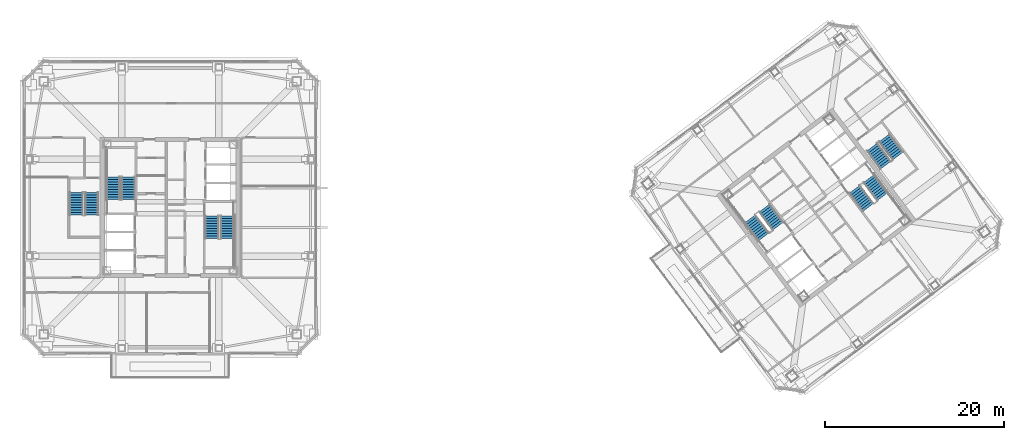
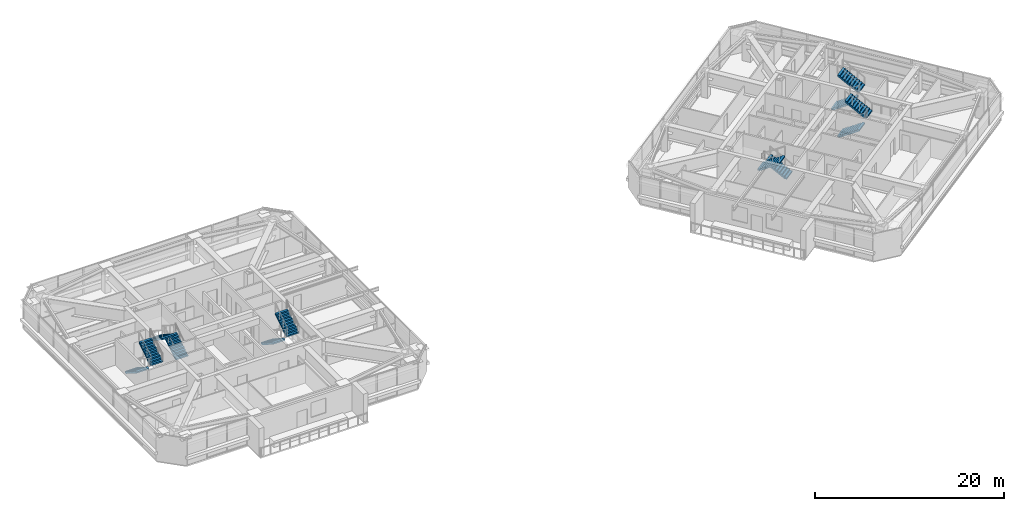
# One storey, part 34 of 40: 12 stair flights, 6 elements without a shape of their own.
"""IFC4 building model written with IfcOpenShell, lengths in metres."""

from ifc_helpers import new_model, si_unit, direction, frame, origin, place, context, subcontext, project, spatial, polyline, outline, extrude, material, type_object, element, aggregate, save


model = new_model("IFC4")

# Units and contexts
model_context = context("Model", 3, precision=1e-05, world=origin(), true_north=direction((0.0, 1.0)))
body_context = subcontext(model_context, "Body", "Model", "MODEL_VIEW")
ifc_project = project(units=[si_unit("LENGTHUNIT", "METRE"), si_unit("AREAUNIT", "SQUARE_METRE"), si_unit("VOLUMEUNIT", "CUBIC_METRE"), si_unit("PLANEANGLEUNIT", "RADIAN"), si_unit("MASSUNIT", "GRAM", prefix="KILO")], contexts=[model_context])

# Site, building, storey
site_placement = place(None, origin())
site = spatial("IfcSite", under=ifc_project, at=site_placement, CompositionType="ELEMENT")
building_placement = place(site_placement, origin())
building = spatial("IfcBuilding", under=site, at=building_placement, Name="Tashvorn Skyway Center", CompositionType="ELEMENT")
storey_placement = place(building_placement, frame((0.0, 0.0, 229.050048828125)))
storey = spatial("IfcBuildingStorey", under=building, at=storey_placement, Name="L62", CompositionType="ELEMENT", Elevation=229.050048828125)

# Stair, stair flights
ifc_material = material(Name="Concrete C40/50", Category="concrete")
stair_type = type_object("IfcStairType", Name="STAIR-CORE-1500", PredefinedType="HALF_TURN_STAIR", material=ifc_material)
stair_1_placement = place(storey_placement, origin())
stair_1 = element("IfcStair", 1, at=stair_1_placement, inside=storey, type_object=stair_type, Name="L62 Tower 1 Exit Stair 1", PredefinedType="HALF_TURN_STAIR")
stair_flight_type = type_object("IfcStairFlightType", Name="SFLIGHT-1500", PredefinedType="STRAIGHT", material=ifc_material)
stair_flight_1_placement = place(storey_placement, frame((37.35009765625, 32.919921875, 0.0), z_axis=(0.0, 0.0, 1.0), x_axis=(0.0, 1.0, 0.0)))
stair_flight_1 = element("IfcStairFlight", 2, at=stair_flight_1_placement, type_object=stair_flight_type, Name="ST-T1-1 flight 1", NumberOfRisers=10, NumberOfTreads=9, PredefinedType="STRAIGHT", RiserHeight=0.1775, TreadLength=0.28, context=body_context, shape_type="SweptSolid", body=[
    extrude(outline(polyline([(0.0, 0.0), (0.0, 0.177490234375), (0.280029296875, 0.177490234375), (0.280029296875, 0.35498046875), (0.56005859375, 0.35498046875), (0.56005859375, 0.532470703125), (0.840087890625, 0.532470703125), (0.840087890625, 0.7099609375), (1.1201171875, 0.7099609375), (1.1201171875, 0.887451171875), (1.39990234375, 0.887451171875), (1.39990234375, 1.06494140625), (1.679931640625, 1.06494140625), (1.679931640625, 1.242431640625), (1.9599609375, 1.242431640625), (1.9599609375, 1.419921875), (2.239990234375, 1.419921875), (2.239990234375, 1.597412109375), (2.52001953125, 1.597412109375), (2.52001953125, 1.77490234375), (2.52001953125, 1.419921875), (0.280029296875, 0.0), (0.0, 0.0)])), frame((0.0, 0.75, 0.0), z_axis=(0.0, -1.0, 0.0), x_axis=(1.0, 0.0, 0.0)), (0.0, 0.0, 1.0), 1.5),
])
stair_flight_2_placement = place(storey_placement, frame((35.64990234375, 35.43994140625, 1.77490234375), z_axis=(0.0, 0.0, 1.0), x_axis=(0.0, -1.0, 0.0)))
stair_flight_2 = element("IfcStairFlight", 3, at=stair_flight_2_placement, type_object=stair_flight_type, Name="ST-T1-1 flight 2", NumberOfRisers=10, NumberOfTreads=9, PredefinedType="STRAIGHT", RiserHeight=0.1775, TreadLength=0.28, context=body_context, shape_type="SweptSolid", body=[
    extrude(outline(polyline([(0.0, 0.0), (0.0, 0.177490234375), (0.280029296875, 0.177490234375), (0.280029296875, 0.35498046875), (0.56005859375, 0.35498046875), (0.56005859375, 0.532470703125), (0.840087890625, 0.532470703125), (0.840087890625, 0.7099609375), (1.1201171875, 0.7099609375), (1.1201171875, 0.887451171875), (1.39990234375, 0.887451171875), (1.39990234375, 1.06494140625), (1.679931640625, 1.06494140625), (1.679931640625, 1.242431640625), (1.9599609375, 1.242431640625), (1.9599609375, 1.419921875), (2.239990234375, 1.419921875), (2.239990234375, 1.597412109375), (2.52001953125, 1.597412109375), (2.52001953125, 1.77490234375), (2.52001953125, 1.419921875), (0.280029296875, 0.0), (0.0, 0.0)])), frame((0.0, 0.75, 0.0), z_axis=(0.0, -1.0, 0.0), x_axis=(1.0, 0.0, 0.0)), (0.0, 0.0, 1.0), 1.5),
])
aggregate(stair_1, [stair_flight_1, stair_flight_2])

stair_2_placement = place(storey_placement, origin())
stair_2 = element("IfcStair", 4, at=stair_2_placement, inside=storey, type_object=stair_type, Name="L62 Tower 1 Exit Stair 2", PredefinedType="HALF_TURN_STAIR")
stair_flight_3_placement = place(storey_placement, frame((46.64990234375, 31.080078125, 0.0), z_axis=(0.0, 0.0, 1.0), x_axis=(0.0, -1.0, 0.0)))
stair_flight_3 = element("IfcStairFlight", 5, at=stair_flight_3_placement, type_object=stair_flight_type, Name="ST-T1-2 flight 1", NumberOfRisers=10, NumberOfTreads=9, PredefinedType="STRAIGHT", RiserHeight=0.1775, TreadLength=0.28, context=body_context, shape_type="SweptSolid", body=[
    extrude(outline(polyline([(0.0, 0.0), (0.0, 0.177490234375), (0.280029296875, 0.177490234375), (0.280029296875, 0.35498046875), (0.56005859375, 0.35498046875), (0.56005859375, 0.532470703125), (0.840087890625, 0.532470703125), (0.840087890625, 0.7099609375), (1.1201171875, 0.7099609375), (1.1201171875, 0.887451171875), (1.39990234375, 0.887451171875), (1.39990234375, 1.06494140625), (1.679931640625, 1.06494140625), (1.679931640625, 1.242431640625), (1.9599609375, 1.242431640625), (1.9599609375, 1.419921875), (2.239990234375, 1.419921875), (2.239990234375, 1.597412109375), (2.52001953125, 1.597412109375), (2.52001953125, 1.77490234375), (2.52001953125, 1.419921875), (0.280029296875, 0.0), (0.0, 0.0)])), frame((0.0, 0.75, 0.0), z_axis=(0.0, -1.0, 0.0), x_axis=(1.0, 0.0, 0.0)), (0.0, 0.0, 1.0), 1.5),
])
stair_flight_4_placement = place(storey_placement, frame((48.35009765625, 28.56005859375, 1.77490234375), z_axis=(0.0, 0.0, 1.0), x_axis=(0.0, 1.0, 0.0)))
stair_flight_4 = element("IfcStairFlight", 6, at=stair_flight_4_placement, type_object=stair_flight_type, Name="ST-T1-2 flight 2", NumberOfRisers=10, NumberOfTreads=9, PredefinedType="STRAIGHT", RiserHeight=0.1775, TreadLength=0.28, context=body_context, shape_type="SweptSolid", body=[
    extrude(outline(polyline([(0.0, 0.0), (0.0, 0.177490234375), (0.280029296875, 0.177490234375), (0.280029296875, 0.35498046875), (0.56005859375, 0.35498046875), (0.56005859375, 0.532470703125), (0.840087890625, 0.532470703125), (0.840087890625, 0.7099609375), (1.1201171875, 0.7099609375), (1.1201171875, 0.887451171875), (1.39990234375, 0.887451171875), (1.39990234375, 1.06494140625), (1.679931640625, 1.06494140625), (1.679931640625, 1.242431640625), (1.9599609375, 1.242431640625), (1.9599609375, 1.419921875), (2.239990234375, 1.419921875), (2.239990234375, 1.597412109375), (2.52001953125, 1.597412109375), (2.52001953125, 1.77490234375), (2.52001953125, 1.419921875), (0.280029296875, 0.0), (0.0, 0.0)])), frame((0.0, 0.75, 0.0), z_axis=(0.0, -1.0, 0.0), x_axis=(1.0, 0.0, 0.0)), (0.0, 0.0, 1.0), 1.5),
])
aggregate(stair_2, [stair_flight_3, stair_flight_4])

stair_3_placement = place(storey_placement, origin())
stair_3 = element("IfcStair", 7, at=stair_3_placement, inside=storey, type_object=stair_type, Name="L62 Tower 2 Exit Stair 1", PredefinedType="HALF_TURN_STAIR")
stair_flight_5_placement = place(storey_placement, frame((109.72802734375, 29.946044921875, 0.0), z_axis=(0.0, 0.0, 1.0), x_axis=(-0.600000004945, 0.799999996291, 0.0)))
stair_flight_5 = element("IfcStairFlight", 8, at=stair_flight_5_placement, type_object=stair_flight_type, Name="ST-T2-1 flight 1", NumberOfRisers=10, NumberOfTreads=9, PredefinedType="STRAIGHT", RiserHeight=0.1775, TreadLength=0.28, context=body_context, shape_type="SweptSolid", body=[
    extrude(outline(polyline([(0.0, 0.0), (0.0, 0.177490234375), (0.280029296875, 0.177490234375), (0.280029296875, 0.35498046875), (0.56005859375, 0.35498046875), (0.56005859375, 0.532470703125), (0.840087890625, 0.532470703125), (0.840087890625, 0.7099609375), (1.1201171875, 0.7099609375), (1.1201171875, 0.887451171875), (1.39990234375, 0.887451171875), (1.39990234375, 1.06494140625), (1.679931640625, 1.06494140625), (1.679931640625, 1.242431640625), (1.9599609375, 1.242431640625), (1.9599609375, 1.419921875), (2.239990234375, 1.419921875), (2.239990234375, 1.597412109375), (2.52001953125, 1.597412109375), (2.52001953125, 1.77490234375), (2.52001953125, 1.419921875), (0.280029296875, 0.0), (0.0, 0.0)])), frame((0.0, 0.75, 0.0), z_axis=(0.0, -1.0, 0.0), x_axis=(1.0, 0.0, 0.0)), (0.0, 0.0, 1.0), 1.5),
])
stair_flight_6_placement = place(storey_placement, frame((106.632080078125, 30.77392578125, 1.77490234375), z_axis=(0.0, 0.0, 1.0), x_axis=(0.600000004945, -0.799999996291, 0.0)))
stair_flight_6 = element("IfcStairFlight", 9, at=stair_flight_6_placement, type_object=stair_flight_type, Name="ST-T2-1 flight 2", NumberOfRisers=10, NumberOfTreads=9, PredefinedType="STRAIGHT", RiserHeight=0.1775, TreadLength=0.28, context=body_context, shape_type="SweptSolid", body=[
    extrude(outline(polyline([(0.0, 0.0), (0.0, 0.177490234375), (0.280029296875, 0.177490234375), (0.280029296875, 0.35498046875), (0.56005859375, 0.35498046875), (0.56005859375, 0.532470703125), (0.840087890625, 0.532470703125), (0.840087890625, 0.7099609375), (1.1201171875, 0.7099609375), (1.1201171875, 0.887451171875), (1.39990234375, 0.887451171875), (1.39990234375, 1.06494140625), (1.679931640625, 1.06494140625), (1.679931640625, 1.242431640625), (1.9599609375, 1.242431640625), (1.9599609375, 1.419921875), (2.239990234375, 1.419921875), (2.239990234375, 1.597412109375), (2.52001953125, 1.597412109375), (2.52001953125, 1.77490234375), (2.52001953125, 1.419921875), (0.280029296875, 0.0), (0.0, 0.0)])), frame((0.0, 0.75, 0.0), z_axis=(0.0, -1.0, 0.0), x_axis=(1.0, 0.0, 0.0)), (0.0, 0.0, 1.0), 1.5),
])
aggregate(stair_3, [stair_flight_5, stair_flight_6])

stair_4_placement = place(storey_placement, origin())
stair_4 = element("IfcStair", 10, at=stair_4_placement, inside=storey, type_object=stair_type, Name="L62 Tower 2 Exit Stair 2", PredefinedType="HALF_TURN_STAIR")
stair_flight_7_placement = place(storey_placement, frame((118.27197265625, 34.053955078125, 0.0), z_axis=(0.0, 0.0, 1.0), x_axis=(0.600000004945, -0.799999996291, 0.0)))
stair_flight_7 = element("IfcStairFlight", 11, at=stair_flight_7_placement, type_object=stair_flight_type, Name="ST-T2-2 flight 1", NumberOfRisers=10, NumberOfTreads=9, PredefinedType="STRAIGHT", RiserHeight=0.1775, TreadLength=0.28, context=body_context, shape_type="SweptSolid", body=[
    extrude(outline(polyline([(0.0, 0.0), (0.0, 0.177490234375), (0.280029296875, 0.177490234375), (0.280029296875, 0.35498046875), (0.56005859375, 0.35498046875), (0.56005859375, 0.532470703125), (0.840087890625, 0.532470703125), (0.840087890625, 0.7099609375), (1.1201171875, 0.7099609375), (1.1201171875, 0.887451171875), (1.39990234375, 0.887451171875), (1.39990234375, 1.06494140625), (1.679931640625, 1.06494140625), (1.679931640625, 1.242431640625), (1.9599609375, 1.242431640625), (1.9599609375, 1.419921875), (2.239990234375, 1.419921875), (2.239990234375, 1.597412109375), (2.52001953125, 1.597412109375), (2.52001953125, 1.77490234375), (2.52001953125, 1.419921875), (0.280029296875, 0.0), (0.0, 0.0)])), frame((0.0, 0.75, 0.0), z_axis=(0.0, -1.0, 0.0), x_axis=(1.0, 0.0, 0.0)), (0.0, 0.0, 1.0), 1.5),
])
stair_flight_8_placement = place(storey_placement, frame((121.367919921875, 33.22607421875, 1.77490234375), z_axis=(0.0, 0.0, 1.0), x_axis=(-0.600000004945, 0.799999996291, 0.0)))
stair_flight_8 = element("IfcStairFlight", 12, at=stair_flight_8_placement, type_object=stair_flight_type, Name="ST-T2-2 flight 2", NumberOfRisers=10, NumberOfTreads=9, PredefinedType="STRAIGHT", RiserHeight=0.1775, TreadLength=0.28, context=body_context, shape_type="SweptSolid", body=[
    extrude(outline(polyline([(0.0, 0.0), (0.0, 0.177490234375), (0.280029296875, 0.177490234375), (0.280029296875, 0.35498046875), (0.56005859375, 0.35498046875), (0.56005859375, 0.532470703125), (0.840087890625, 0.532470703125), (0.840087890625, 0.7099609375), (1.1201171875, 0.7099609375), (1.1201171875, 0.887451171875), (1.39990234375, 0.887451171875), (1.39990234375, 1.06494140625), (1.679931640625, 1.06494140625), (1.679931640625, 1.242431640625), (1.9599609375, 1.242431640625), (1.9599609375, 1.419921875), (2.239990234375, 1.419921875), (2.239990234375, 1.597412109375), (2.52001953125, 1.597412109375), (2.52001953125, 1.77490234375), (2.52001953125, 1.419921875), (0.280029296875, 0.0), (0.0, 0.0)])), frame((0.0, 0.75, 0.0), z_axis=(0.0, -1.0, 0.0), x_axis=(1.0, 0.0, 0.0)), (0.0, 0.0, 1.0), 1.5),
])
aggregate(stair_4, [stair_flight_7, stair_flight_8])

stair_5_placement = place(storey_placement, origin())
stair_5 = element("IfcStair", 13, at=stair_5_placement, inside=storey, type_object=stair_type, Name="L62 Tower 1 Exit Stair 3", PredefinedType="HALF_TURN_STAIR")
stair_flight_9_placement = place(storey_placement, frame((31.550048828125, 33.679931640625, 0.0), z_axis=(0.0, 0.0, 1.0), x_axis=(0.0, -1.0, 0.0)))
stair_flight_9 = element("IfcStairFlight", 14, at=stair_flight_9_placement, type_object=stair_flight_type, Name="ST-T1-3 flight 1", NumberOfRisers=10, NumberOfTreads=9, PredefinedType="STRAIGHT", RiserHeight=0.1775, TreadLength=0.28, context=body_context, shape_type="SweptSolid", body=[
    extrude(outline(polyline([(0.0, 0.0), (0.0, 0.177490234375), (0.280029296875, 0.177490234375), (0.280029296875, 0.35498046875), (0.56005859375, 0.35498046875), (0.56005859375, 0.532470703125), (0.840087890625, 0.532470703125), (0.840087890625, 0.7099609375), (1.1201171875, 0.7099609375), (1.1201171875, 0.887451171875), (1.39990234375, 0.887451171875), (1.39990234375, 1.06494140625), (1.679931640625, 1.06494140625), (1.679931640625, 1.242431640625), (1.9599609375, 1.242431640625), (1.9599609375, 1.419921875), (2.239990234375, 1.419921875), (2.239990234375, 1.597412109375), (2.52001953125, 1.597412109375), (2.52001953125, 1.77490234375), (2.52001953125, 1.419921875), (0.280029296875, 0.0), (0.0, 0.0)])), frame((0.0, 0.75, 0.0), z_axis=(0.0, -1.0, 0.0), x_axis=(1.0, 0.0, 0.0)), (0.0, 0.0, 1.0), 1.5),
])
stair_flight_10_placement = place(storey_placement, frame((33.25, 31.159912109375, 1.77490234375), z_axis=(0.0, 0.0, 1.0), x_axis=(0.0, 1.0, 0.0)))
stair_flight_10 = element("IfcStairFlight", 15, at=stair_flight_10_placement, type_object=stair_flight_type, Name="ST-T1-3 flight 2", NumberOfRisers=10, NumberOfTreads=9, PredefinedType="STRAIGHT", RiserHeight=0.1775, TreadLength=0.28, context=body_context, shape_type="SweptSolid", body=[
    extrude(outline(polyline([(0.0, 0.0), (0.0, 0.177490234375), (0.280029296875, 0.177490234375), (0.280029296875, 0.35498046875), (0.56005859375, 0.35498046875), (0.56005859375, 0.532470703125), (0.840087890625, 0.532470703125), (0.840087890625, 0.7099609375), (1.1201171875, 0.7099609375), (1.1201171875, 0.887451171875), (1.39990234375, 0.887451171875), (1.39990234375, 1.06494140625), (1.679931640625, 1.06494140625), (1.679931640625, 1.242431640625), (1.9599609375, 1.242431640625), (1.9599609375, 1.419921875), (2.239990234375, 1.419921875), (2.239990234375, 1.597412109375), (2.52001953125, 1.597412109375), (2.52001953125, 1.77490234375), (2.52001953125, 1.419921875), (0.280029296875, 0.0), (0.0, 0.0)])), frame((0.0, 0.75, 0.0), z_axis=(0.0, -1.0, 0.0), x_axis=(1.0, 0.0, 0.0)), (0.0, 0.0, 1.0), 1.5),
])
aggregate(stair_5, [stair_flight_9, stair_flight_10])

stair_6_placement = place(storey_placement, origin())
stair_6 = element("IfcStair", 16, at=stair_6_placement, inside=storey, type_object=stair_type, Name="L62 Tower 2 Exit Stair 3", PredefinedType="HALF_TURN_STAIR")
stair_flight_11_placement = place(storey_placement, frame((120.216064453125, 38.761962890625, 0.0), z_axis=(0.0, 0.0, 1.0), x_axis=(0.600000004945, -0.799999996291, 0.0)))
stair_flight_11 = element("IfcStairFlight", 17, at=stair_flight_11_placement, type_object=stair_flight_type, Name="ST-T2-3 flight 1", NumberOfRisers=10, NumberOfTreads=9, PredefinedType="STRAIGHT", RiserHeight=0.1775, TreadLength=0.28, context=body_context, shape_type="SweptSolid", body=[
    extrude(outline(polyline([(0.0, 0.0), (0.0, 0.177490234375), (0.280029296875, 0.177490234375), (0.280029296875, 0.35498046875), (0.56005859375, 0.35498046875), (0.56005859375, 0.532470703125), (0.840087890625, 0.532470703125), (0.840087890625, 0.7099609375), (1.1201171875, 0.7099609375), (1.1201171875, 0.887451171875), (1.39990234375, 0.887451171875), (1.39990234375, 1.06494140625), (1.679931640625, 1.06494140625), (1.679931640625, 1.242431640625), (1.9599609375, 1.242431640625), (1.9599609375, 1.419921875), (2.239990234375, 1.419921875), (2.239990234375, 1.597412109375), (2.52001953125, 1.597412109375), (2.52001953125, 1.77490234375), (2.52001953125, 1.419921875), (0.280029296875, 0.0), (0.0, 0.0)])), frame((0.0, 0.75, 0.0), z_axis=(0.0, -1.0, 0.0), x_axis=(1.0, 0.0, 0.0)), (0.0, 0.0, 1.0), 1.5),
])
stair_flight_12_placement = place(storey_placement, frame((123.087890625, 37.76611328125, 1.77490234375), z_axis=(0.0, 0.0, 1.0), x_axis=(-0.600000004945, 0.799999996291, 0.0)))
stair_flight_12 = element("IfcStairFlight", 18, at=stair_flight_12_placement, type_object=stair_flight_type, Name="ST-T2-3 flight 2", NumberOfRisers=10, NumberOfTreads=9, PredefinedType="STRAIGHT", RiserHeight=0.1775, TreadLength=0.28, context=body_context, shape_type="SweptSolid", body=[
    extrude(outline(polyline([(0.0, 0.0), (0.0, 0.177490234375), (0.280029296875, 0.177490234375), (0.280029296875, 0.35498046875), (0.56005859375, 0.35498046875), (0.56005859375, 0.532470703125), (0.840087890625, 0.532470703125), (0.840087890625, 0.7099609375), (1.1201171875, 0.7099609375), (1.1201171875, 0.887451171875), (1.39990234375, 0.887451171875), (1.39990234375, 1.06494140625), (1.679931640625, 1.06494140625), (1.679931640625, 1.242431640625), (1.9599609375, 1.242431640625), (1.9599609375, 1.419921875), (2.239990234375, 1.419921875), (2.239990234375, 1.597412109375), (2.52001953125, 1.597412109375), (2.52001953125, 1.77490234375), (2.52001953125, 1.419921875), (0.280029296875, 0.0), (0.0, 0.0)])), frame((0.0, 0.75, 0.0), z_axis=(0.0, -1.0, 0.0), x_axis=(1.0, 0.0, 0.0)), (0.0, 0.0, 1.0), 1.5),
])
aggregate(stair_6, [stair_flight_11, stair_flight_12])

save(model, "model.ifc")
